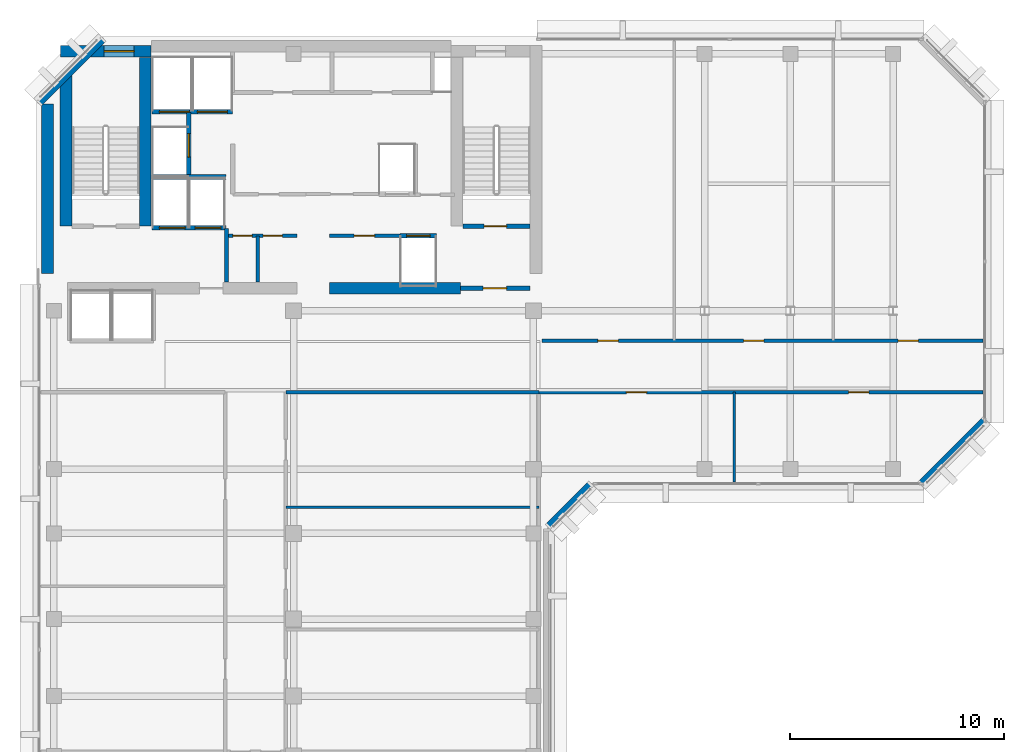
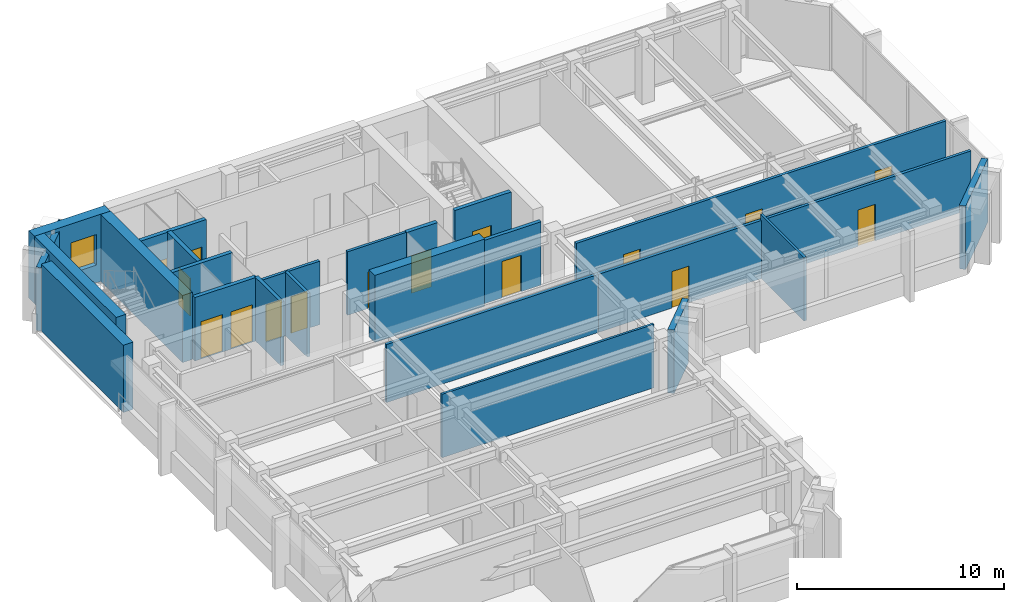
# One storey, part 7 of 11: 24 walls, 16 doors, 1 window, 17 openings.
"""IFC4 building model written with IfcOpenShell, lengths in metres."""

from ifc_helpers import new_model, si_unit, direction, frame, frame_2d, origin, place, context, subcontext, project, spatial, rectangle, extrude, material, layer, layer_set, type_object, element, fill, save


model = new_model("IFC4")

# Units and contexts
model_context = context("Model", 3, precision=1e-05, world=origin(), true_north=direction((0.0, 1.0)))
body_context = subcontext(model_context, "Body", "Model", "MODEL_VIEW")
ifc_project = project(units=[si_unit("LENGTHUNIT", "METRE"), si_unit("AREAUNIT", "SQUARE_METRE"), si_unit("VOLUMEUNIT", "CUBIC_METRE"), si_unit("PLANEANGLEUNIT", "RADIAN"), si_unit("MASSUNIT", "GRAM", prefix="KILO")], contexts=[model_context])

# Site, building, storey
site_placement = place(None, origin())
site = spatial("IfcSite", under=ifc_project, at=site_placement, CompositionType="ELEMENT")
building_placement = place(site_placement, origin())
building = spatial("IfcBuilding", under=site, at=building_placement, Name="Kefirva Bronze Tower", CompositionType="ELEMENT")
storey_placement = place(building_placement, frame((0.0, 0.0, 307.889892578125)))
storey = spatial("IfcBuildingStorey", under=building, at=storey_placement, Name="L75", CompositionType="ELEMENT", Elevation=307.889892578125)

# Walls
ifc_material_1 = material(Name="Gypsum acoustic partition")
ifc_layer_1 = layer(ifc_material_1, 0.1298828125, Name="Gypsum acoustic partition")
ifc_layer_set_1 = layer_set([ifc_layer_1], Name="Gypsum acoustic partition")
wall_type_1 = type_object("IfcWallType", Name="Acoustic Office Partition 130mm", PredefinedType="PARTITIONING", material=ifc_layer_set_1)
wall_1_placement = place(storey_placement, frame((11.639892578125, 24.02392578125, 0.0), z_axis=(0.0, 0.0, 1.0), x_axis=(1.0, 0.0, 0.0)))
element("IfcWall", 1, at=wall_1_placement, inside=storey, type_object=wall_type_1, Name="L75 Partition W-L75-SED2", PredefinedType="PARTITIONING", context=body_context, shape_type="SweptSolid", body=[
    extrude(rectangle(XDim=11.81005859375, YDim=0.1298828125, at=frame_2d((5.905029296875, 0.0))), origin(), (0.0, 0.0, 1.0), 3.739990234375),
])
wall_2_placement = place(storey_placement, frame((32.58447265625, 25.18994140625, 0.0), z_axis=(0.0, 0.0, 1.0), x_axis=(0.0, 1.0, 0.0)))
element("IfcWall", 2, at=wall_2_placement, inside=storey, type_object=wall_type_1, Name="L75 Partition W-L75-ESD1", PredefinedType="PARTITIONING", context=body_context, shape_type="SweptSolid", body=[
    extrude(rectangle(XDim=4.2099609375, YDim=0.1298828125, at=frame_2d((2.10498046875, 0.0))), origin(), (0.0, 0.0, 1.0), 3.739990234375),
])

# Wall, opening, door
ifc_layer_2 = layer(ifc_material_1, 0.14990234375, Name="Gypsum acoustic partition")
ifc_layer_set_2 = layer_set([ifc_layer_2], Name="Gypsum acoustic partition")
wall_type_2 = type_object("IfcWallType", Name="Executive Suite Partition 150mm", PredefinedType="PARTITIONING", material=ifc_layer_set_2)
wall_3_placement = place(storey_placement, frame((13.679931640625, 36.699951171875, 0.0), z_axis=(0.0, 0.0, 1.0), x_axis=(1.0, 0.0, 0.0)))
wall_3 = element("IfcWall", 3, at=wall_3_placement, inside=storey, type_object=wall_type_2, Name="L75 Partition W-L75-RECMP1", PredefinedType="PARTITIONING", context=body_context, shape_type="SweptSolid", body=[
    extrude(rectangle(XDim=3.280029296875, YDim=0.14990234375, at=frame_2d((1.64013671875, 0.0))), origin(), (0.0, 0.0, 1.0), 3.739990234375),
])
opening_1_placement = place(wall_3_placement, frame((1.14990234375, 0.0, 0.0)))
opening_1 = element("IfcOpeningElement", 4, at=opening_1_placement, cuts=wall_3, Name="Opening L75-D-RECMP1", PredefinedType="OPENING", context=body_context, shape_type="SweptSolid", body=[
    extrude(rectangle(XDim=0.949951171875, YDim=2.14990234375, at=frame_2d((0.47509765625, 1.074951171875))), frame((0.0, 0.0849609375, 0.0), z_axis=(0.0, -1.0, 0.0), x_axis=(1.0, 0.0, 0.0)), (0.0, 0.0, 1.0), 0.169921875),
])
ifc_material_2 = material(Name="Acoustic hardwood oak", Category="wood")
door_type_1 = type_object("IfcDoorType", Name="Office & Meeting Room Door 950x2150", OperationType="NOTDEFINED", PredefinedType="DOOR", material=ifc_material_2)
door_1_placement = place(opening_1_placement, origin())
door_1 = element("IfcDoor", 5, at=door_1_placement, inside=storey, type_object=door_type_1, Name="Door L75-D-RECMP1", OperationType="SINGLE_SWING_LEFT", OverallHeight=2.14990234375, OverallWidth=0.949951171875, PredefinedType="DOOR", context=body_context, shape_type="SweptSolid", body=[
    extrude(rectangle(XDim=0.949951171875, YDim=2.14990234375, at=frame_2d((0.47509765625, 1.074951171875))), frame((0.0, 0.02490234375, 0.0), z_axis=(0.0, -1.0, 0.0), x_axis=(1.0, 0.0, 0.0)), (0.0, 0.0, 1.0), 0.050048828125),
])
fill(opening_1, door_1)

ifc_material_3 = material(Name="Gypsum fireboard shaftwall")
ifc_layer_3 = layer(ifc_material_3, 0.219970703125, Name="Gypsum fireboard shaftwall")
ifc_layer_set_3 = layer_set([ifc_layer_3], Name="Gypsum fireboard shaftwall")
wall_type_3 = type_object("IfcWallType", Name="Fire-Rated Shaft Enclosure Wall 220mm", PredefinedType="PARTITIONING", material=ifc_layer_set_3)
wall_4_placement = place(storey_placement, frame((19.89990234375, 37.14990234375, 0.0), z_axis=(0.0, 0.0, 1.0), x_axis=(1.0, 0.0, 0.0)))
wall_4 = element("IfcWall", 6, at=wall_4_placement, inside=storey, type_object=wall_type_3, Name="L75 Partition W-L75-ST2S", PredefinedType="PARTITIONING", context=body_context, shape_type="SweptSolid", body=[
    extrude(rectangle(XDim=3.150146484375, YDim=0.219970703125, at=frame_2d((1.5751953125, 0.0))), origin(), (0.0, 0.0, 1.0), 3.739990234375),
])
opening_2_placement = place(wall_4_placement, frame((2.050048828125, 0.0, 0.0), z_axis=(0.0, 0.0, 1.0), x_axis=(-1.0, 0.0, 0.0)))
opening_2 = element("IfcOpeningElement", 7, at=opening_2_placement, cuts=wall_4, Name="Opening L75-D003", PredefinedType="OPENING", context=body_context, shape_type="SweptSolid", body=[
    extrude(rectangle(XDim=1.050048828125, YDim=2.14990234375, at=frame_2d((0.52490234375, 1.074951171875))), frame((0.0, 0.1201171875, 0.0), z_axis=(0.0, -1.0, 0.0), x_axis=(1.0, 0.0, 0.0)), (0.0, 0.0, 1.0), 0.239990234375),
])
ifc_material_4 = material(Name="Painted galvanized steel", Category="steel")
door_type_2 = type_object("IfcDoorType", Name="Fire Stair Enclosure Door 1050x2150 FD90S", OperationType="NOTDEFINED", PredefinedType="DOOR", material=ifc_material_4)
door_2_placement = place(opening_2_placement, origin())
door_2 = element("IfcDoor", 8, at=door_2_placement, inside=storey, type_object=door_type_2, Name="Door L75-D003", OperationType="SINGLE_SWING_LEFT", OverallHeight=2.14990234375, OverallWidth=1.050048828125, PredefinedType="DOOR", context=body_context, shape_type="SweptSolid", body=[
    extrude(rectangle(XDim=1.050048828125, YDim=2.14990234375, at=frame_2d((0.52490234375, 1.074951171875))), frame((0.0, 0.02490234375, 0.0), z_axis=(0.0, -1.0, 0.0), x_axis=(1.0, 0.0, 0.0)), (0.0, 0.0, 1.0), 0.050048828125),
])
fill(opening_2, door_2)

# Wall, openings, doors
wall_5_placement = place(storey_placement, frame((5.3798828125, 37.080078125, 0.0), z_axis=(0.0, 0.0, 1.0), x_axis=(1.0, 0.0, 0.0)))
wall_5 = element("IfcWall", 9, at=wall_5_placement, inside=storey, type_object=wall_type_3, Name="L75 Partition W-L75-FFS", PredefinedType="PARTITIONING", context=body_context, shape_type="SweptSolid", body=[
    extrude(rectangle(XDim=3.460205078125, YDim=0.219970703125, at=frame_2d((1.72998046875, 0.0))), origin(), (0.0, 0.0, 1.0), 3.739990234375),
])
opening_3_placement = place(wall_5_placement, frame((1.550048828125, 0.0, 0.0), z_axis=(0.0, 0.0, 1.0), x_axis=(-1.0, 0.0, 0.0)))
opening_3 = element("IfcOpeningElement", 10, at=opening_3_placement, cuts=wall_5, Name="Opening L75-LD-FF1", PredefinedType="OPENING", context=body_context, shape_type="SweptSolid", body=[
    extrude(rectangle(XDim=1.199951171875, YDim=2.199951171875, at=frame_2d((0.60009765625, 1.10009765625))), frame((0.0, 0.1201171875, 0.0), z_axis=(0.0, -1.0, 0.0), x_axis=(1.0, 0.0, 0.0)), (0.0, 0.0, 1.0), 0.239990234375),
])
opening_4_placement = place(wall_5_placement, frame((3.219970703125, 0.0, 0.0), z_axis=(0.0, 0.0, 1.0), x_axis=(-1.0, 0.0, 0.0)))
opening_4 = element("IfcOpeningElement", 11, at=opening_4_placement, cuts=wall_5, Name="Opening L75-LD-FF2", PredefinedType="OPENING", context=body_context, shape_type="SweptSolid", body=[
    extrude(rectangle(XDim=1.199951171875, YDim=2.199951171875, at=frame_2d((0.60009765625, 1.10009765625))), frame((0.0, 0.1201171875, 0.0), z_axis=(0.0, -1.0, 0.0), x_axis=(1.0, 0.0, 0.0)), (0.0, 0.0, 1.0), 0.239990234375),
])
ifc_material_5 = material(Name="Stainless steel 316", Category="steel")
door_type_3 = type_object("IfcDoorType", Name="Firefighting Lift Sliding Door 1200x2200", OperationType="SLIDING_TO_RIGHT", PredefinedType="DOOR", material=ifc_material_5)
door_3_placement = place(opening_3_placement, origin())
door_3 = element("IfcDoor", 12, at=door_3_placement, inside=storey, type_object=door_type_3, Name="Door L75-LD-FF1", OperationType="SLIDING_TO_RIGHT", OverallHeight=2.199951171875, OverallWidth=1.199951171875, PredefinedType="DOOR", context=body_context, shape_type="SweptSolid", body=[
    extrude(rectangle(XDim=1.199951171875, YDim=2.199951171875, at=frame_2d((0.60009765625, 1.10009765625))), frame((0.0, 0.02490234375, 0.0), z_axis=(0.0, -1.0, 0.0), x_axis=(1.0, 0.0, 0.0)), (0.0, 0.0, 1.0), 0.050048828125),
])
fill(opening_3, door_3)
door_4_placement = place(opening_4_placement, origin())
door_4 = element("IfcDoor", 13, at=door_4_placement, inside=storey, type_object=door_type_3, Name="Door L75-LD-FF2", OperationType="SLIDING_TO_RIGHT", OverallHeight=2.199951171875, OverallWidth=1.199951171875, PredefinedType="DOOR", context=body_context, shape_type="SweptSolid", body=[
    extrude(rectangle(XDim=1.199951171875, YDim=2.199951171875, at=frame_2d((0.60009765625, 1.10009765625))), frame((0.0, 0.02490234375, 0.0), z_axis=(0.0, -1.0, 0.0), x_axis=(1.0, 0.0, 0.0)), (0.0, 0.0, 1.0), 0.050048828125),
])
fill(opening_4, door_4)

# Wall
wall_6_placement = place(storey_placement, frame((5.3798828125, 39.449951171875, 0.0), z_axis=(0.0, 0.0, 1.0), x_axis=(1.0, 0.0, 0.0)))
element("IfcWall", 14, at=wall_6_placement, inside=storey, type_object=wall_type_3, Name="L75 Partition W-L75-FFN", PredefinedType="PARTITIONING", context=body_context, shape_type="SweptSolid", body=[
    extrude(rectangle(XDim=3.460205078125, YDim=0.219970703125, at=frame_2d((1.72998046875, 0.0))), origin(), (0.0, 0.0, 1.0), 3.739990234375),
])

# Wall, openings, doors
wall_7_placement = place(storey_placement, frame((5.3798828125, 42.5, 0.0), z_axis=(0.0, 0.0, 1.0), x_axis=(1.0, 0.0, 0.0)))
wall_7 = element("IfcWall", 15, at=wall_7_placement, inside=storey, type_object=wall_type_3, Name="L75 Partition W-L75-SVS", PredefinedType="PARTITIONING", context=body_context, shape_type="SweptSolid", body=[
    extrude(rectangle(XDim=3.77001953125, YDim=0.219970703125, at=frame_2d((1.885009765625, 0.0))), origin(), (0.0, 0.0, 1.0), 3.739990234375),
])
opening_5_placement = place(wall_7_placement, frame((1.75, 0.0, 0.0), z_axis=(0.0, 0.0, 1.0), x_axis=(-1.0, 0.0, 0.0)))
opening_5 = element("IfcOpeningElement", 16, at=opening_5_placement, cuts=wall_7, Name="Opening L75-LD-SV1", PredefinedType="OPENING", context=body_context, shape_type="SweptSolid", body=[
    extrude(rectangle(XDim=1.39990234375, YDim=2.199951171875, at=frame_2d((0.699951171875, 1.10009765625))), frame((0.0, 0.1201171875, 0.0), z_axis=(0.0, -1.0, 0.0), x_axis=(1.0, 0.0, 0.0)), (0.0, 0.0, 1.0), 0.239990234375),
])
opening_6_placement = place(wall_7_placement, frame((3.52978515625, 0.0, 0.0), z_axis=(0.0, 0.0, 1.0), x_axis=(-1.0, 0.0, 0.0)))
opening_6 = element("IfcOpeningElement", 17, at=opening_6_placement, cuts=wall_7, Name="Opening L75-LD-SV2", PredefinedType="OPENING", context=body_context, shape_type="SweptSolid", body=[
    extrude(rectangle(XDim=1.39990234375, YDim=2.199951171875, at=frame_2d((0.699951171875, 1.10009765625))), frame((0.0, 0.1201171875, 0.0), z_axis=(0.0, -1.0, 0.0), x_axis=(1.0, 0.0, 0.0)), (0.0, 0.0, 1.0), 0.239990234375),
])
door_type_4 = type_object("IfcDoorType", Name="Goods Lift Bi-Parting Sliding Door 1400x2200", OperationType="SLIDING_TO_LEFT", PredefinedType="DOOR", material=ifc_material_5)
door_5_placement = place(opening_5_placement, origin())
door_5 = element("IfcDoor", 18, at=door_5_placement, inside=storey, type_object=door_type_4, Name="Door L75-LD-SV1", OperationType="SLIDING_TO_LEFT", OverallHeight=2.199951171875, OverallWidth=1.39990234375, PredefinedType="DOOR", context=body_context, shape_type="SweptSolid", body=[
    extrude(rectangle(XDim=1.39990234375, YDim=2.199951171875, at=frame_2d((0.699951171875, 1.10009765625))), frame((0.0, 0.02490234375, 0.0), z_axis=(0.0, -1.0, 0.0), x_axis=(1.0, 0.0, 0.0)), (0.0, 0.0, 1.0), 0.050048828125),
])
fill(opening_5, door_5)
door_6_placement = place(opening_6_placement, origin())
door_6 = element("IfcDoor", 19, at=door_6_placement, inside=storey, type_object=door_type_4, Name="Door L75-LD-SV2", OperationType="SLIDING_TO_LEFT", OverallHeight=2.199951171875, OverallWidth=1.39990234375, PredefinedType="DOOR", context=body_context, shape_type="SweptSolid", body=[
    extrude(rectangle(XDim=1.39990234375, YDim=2.199951171875, at=frame_2d((0.699951171875, 1.10009765625))), frame((0.0, 0.02490234375, 0.0), z_axis=(0.0, -1.0, 0.0), x_axis=(1.0, 0.0, 0.0)), (0.0, 0.0, 1.0), 0.050048828125),
])
fill(opening_6, door_6)

# Wall, opening, door
wall_8_placement = place(storey_placement, frame((7.10009765625, 39.52001953125, 0.0), z_axis=(0.0, 0.0, 1.0), x_axis=(0.0, 1.0, 0.0)))
wall_8 = element("IfcWall", 20, at=wall_8_placement, inside=storey, type_object=wall_type_3, Name="L75 Partition W-L75-HP3E", PredefinedType="PARTITIONING", context=body_context, shape_type="SweptSolid", body=[
    extrude(rectangle(XDim=2.929931640625, YDim=0.219970703125, at=frame_2d((1.46484375, 0.0))), origin(), (0.0, 0.0, 1.0), 3.739990234375),
])
opening_7_placement = place(wall_8_placement, frame((0.85009765625, 0.0, 0.0)))
opening_7 = element("IfcOpeningElement", 21, at=opening_7_placement, cuts=wall_8, Name="Opening L75-LD-HP3", PredefinedType="OPENING", context=body_context, shape_type="SweptSolid", body=[
    extrude(rectangle(XDim=1.10009765625, YDim=2.199951171875, at=frame_2d((0.550048828125, 1.10009765625))), frame((0.0, 0.1201171875, 0.0), z_axis=(0.0, -1.0, 0.0), x_axis=(1.0, 0.0, 0.0)), (0.0, 0.0, 1.0), 0.239990234375),
])
door_type_5 = type_object("IfcDoorType", Name="Passenger Lift Sliding Landing Door 1100x2200", OperationType="SLIDING_TO_LEFT", PredefinedType="DOOR", material=ifc_material_5)
door_7_placement = place(opening_7_placement, origin())
door_7 = element("IfcDoor", 22, at=door_7_placement, inside=storey, type_object=door_type_5, Name="Door L75-LD-HP3", OperationType="SLIDING_TO_LEFT", OverallHeight=2.199951171875, OverallWidth=1.10009765625, PredefinedType="DOOR", context=body_context, shape_type="SweptSolid", body=[
    extrude(rectangle(XDim=1.10009765625, YDim=2.199951171875, at=frame_2d((0.550048828125, 1.10009765625))), frame((0.0, 0.02490234375, 0.0), z_axis=(0.0, -1.0, 0.0), x_axis=(1.0, 0.0, 0.0)), (0.0, 0.0, 1.0), 0.050048828125),
])
fill(opening_7, door_7)

wall_9_placement = place(storey_placement, frame((16.97998046875, 36.699951171875, 0.0), z_axis=(0.0, 0.0, 1.0), x_axis=(1.0, 0.0, 0.0)))
wall_9 = element("IfcWall", 23, at=wall_9_placement, inside=storey, type_object=wall_type_3, Name="L75 Partition W-L75-HPS", PredefinedType="PARTITIONING", context=body_context, shape_type="SweptSolid", body=[
    extrude(rectangle(XDim=1.699951171875, YDim=0.219970703125, at=frame_2d((0.85009765625, 0.0))), origin(), (0.0, 0.0, 1.0), 3.739990234375),
])
opening_8_placement = place(wall_9_placement, frame((0.300048828125, 0.0, 0.0)))
opening_8 = element("IfcOpeningElement", 24, at=opening_8_placement, cuts=wall_9, Name="Opening L75-LD-HP1", PredefinedType="OPENING", context=body_context, shape_type="SweptSolid", body=[
    extrude(rectangle(XDim=1.10009765625, YDim=2.199951171875, at=frame_2d((0.550048828125, 1.10009765625))), frame((0.0, 0.1201171875, 0.0), z_axis=(0.0, -1.0, 0.0), x_axis=(1.0, 0.0, 0.0)), (0.0, 0.0, 1.0), 0.239990234375),
])
door_8_placement = place(opening_8_placement, origin())
door_8 = element("IfcDoor", 25, at=door_8_placement, inside=storey, type_object=door_type_5, Name="Door L75-LD-HP1", OperationType="SLIDING_TO_LEFT", OverallHeight=2.199951171875, OverallWidth=1.10009765625, PredefinedType="DOOR", context=body_context, shape_type="SweptSolid", body=[
    extrude(rectangle(XDim=1.10009765625, YDim=2.199951171875, at=frame_2d((0.550048828125, 1.10009765625))), frame((0.0, 0.02490234375, 0.0), z_axis=(0.0, -1.0, 0.0), x_axis=(1.0, 0.0, 0.0)), (0.0, 0.0, 1.0), 0.050048828125),
])
fill(opening_8, door_8)

# Wall
ifc_material_6 = material(Name="Gypsum fireboard barrier")
ifc_layer_4 = layer(ifc_material_6, 0.199951171875, Name="Gypsum fireboard barrier")
ifc_layer_set_4 = layer_set([ifc_layer_4], Name="Gypsum fireboard barrier")
wall_type_4 = type_object("IfcWallType", Name="Firefighting Lobby Barrier Wall 200mm", PredefinedType="PARTITIONING", material=ifc_layer_set_4)
wall_10_placement = place(storey_placement, frame((8.860107421875, 34.550048828125, 0.0), z_axis=(0.0, 0.0, 1.0), x_axis=(0.0, 1.0, 0.0)))
element("IfcWall", 26, at=wall_10_placement, inside=storey, type_object=wall_type_4, Name="L75 Partition W-L75-FFLE", PredefinedType="PARTITIONING", context=body_context, shape_type="SweptSolid", body=[
    extrude(rectangle(XDim=2.5, YDim=0.199951171875, at=frame_2d((1.25, 0.0))), origin(), (0.0, 0.0, 1.0), 3.739990234375),
])

# Wall, opening, door
wall_11_placement = place(storey_placement, frame((19.800048828125, 34.25, 0.0), z_axis=(0.0, 0.0, 1.0), x_axis=(1.0, 0.0, 0.0)))
wall_11 = element("IfcWall", 27, at=wall_11_placement, inside=storey, type_object=wall_type_4, Name="L75 Partition W-L75-ST2F", PredefinedType="PARTITIONING", context=body_context, shape_type="SweptSolid", body=[
    extrude(rectangle(XDim=3.25, YDim=0.199951171875, at=frame_2d((1.625, 0.0))), origin(), (0.0, 0.0, 1.0), 3.739990234375),
])
opening_9_placement = place(wall_11_placement, frame((2.150146484375, 0.0, 0.0), z_axis=(0.0, 0.0, 1.0), x_axis=(-1.0, 0.0, 0.0)))
opening_9 = element("IfcOpeningElement", 28, at=opening_9_placement, cuts=wall_11, Name="Opening L75-D004", PredefinedType="OPENING", context=body_context, shape_type="SweptSolid", body=[
    extrude(rectangle(XDim=1.10009765625, YDim=2.14990234375, at=frame_2d((0.550048828125, 1.074951171875))), frame((0.0, 0.10986328125, 0.0), z_axis=(0.0, -1.0, 0.0), x_axis=(1.0, 0.0, 0.0)), (0.0, 0.0, 1.0), 0.219970703125),
])
door_type_6 = type_object("IfcDoorType", Name="Firefighting Lobby Smoke Door 1100x2150 FD60S", OperationType="NOTDEFINED", PredefinedType="DOOR", material=ifc_material_4)
door_9_placement = place(opening_9_placement, origin())
door_9 = element("IfcDoor", 29, at=door_9_placement, inside=storey, type_object=door_type_6, Name="Door L75-D004", OperationType="SINGLE_SWING_RIGHT", OverallHeight=2.14990234375, OverallWidth=1.10009765625, PredefinedType="DOOR", context=body_context, shape_type="SweptSolid", body=[
    extrude(rectangle(XDim=1.10009765625, YDim=2.14990234375, at=frame_2d((0.550048828125, 1.074951171875))), frame((0.0, 0.02490234375, 0.0), z_axis=(0.0, -1.0, 0.0), x_axis=(1.0, 0.0, 0.0)), (0.0, 0.0, 1.0), 0.050048828125),
])
fill(opening_9, door_9)

# Walls
ifc_material_7 = material(Name="Precast concrete C40/50", Category="concrete")
ifc_layer_5 = layer(ifc_material_7, 0.320068359375, Name="Precast concrete C40/50")
ifc_layer_set_5 = layer_set([ifc_layer_5], Name="Precast concrete C40/50")
wall_type_5 = type_object("IfcWallType", Name="Precast Insulated Exterior Wall 320mm", PredefinedType="SOLIDWALL", material=ifc_layer_set_5)
wall_12_placement = place(storey_placement, frame((23.92578125, 23.152099609375, 0.0), z_axis=(0.0, 0.0, 1.0), x_axis=(0.707106781187, 0.707106781187, 0.0)))
element("IfcWall", 30, at=wall_12_placement, inside=storey, type_object=wall_type_5, Name="L75 Exterior Facade Wall 3", PredefinedType="SOLIDWALL", context=body_context, shape_type="SweptSolid", body=[
    extrude(rectangle(XDim=2.71826171875, YDim=0.320068359375, at=frame_2d((1.359130859375, 0.0))), origin(), (0.0, 0.0, 1.0), 3.739990234375),
])
for number, where, z_axis, x_axis, name in (
    (31, (41.32568359375, 25.152099609375, 0.0), (0.0, 0.0, 1.0), (0.707136318428, 0.707077242712, 0.0), "L75 Exterior Facade Wall 4"),
    (32, (3.07421875, 45.847900390625, 0.0), (0.0, 0.0, 1.0), (-0.707106781187, -0.707106781187, 0.0), "L75 Exterior Facade Wall 6"),
):
    element("IfcWall", number, at=place(storey_placement, frame(where, z_axis=z_axis, x_axis=x_axis)), inside=storey, type_object=wall_type_5, Name=name, PredefinedType="SOLIDWALL", context=body_context, shape_type="SweptSolid", body=[
        extrude(rectangle(XDim=4.132568359375, YDim=0.320068359375, at=frame_2d((2.06640625, 0.0))), origin(), (0.0, 0.0, 1.0), 3.739990234375),
    ])

# Wall, openings, doors
ifc_layer_6 = layer(ifc_material_1, 0.159912109375, Name="Gypsum acoustic partition")
ifc_layer_set_6 = layer_set([ifc_layer_6], Name="Gypsum acoustic partition")
wall_type_6 = type_object("IfcWallType", Name="Protected Corridor Partition 160mm", PredefinedType="PARTITIONING", material=ifc_layer_set_6)
wall_13_placement = place(storey_placement, frame((8.89990234375, 36.699951171875, 0.0), z_axis=(0.0, 0.0, 1.0), x_axis=(1.0, 0.0, 0.0)))
wall_13 = element("IfcWall", 33, at=wall_13_placement, inside=storey, type_object=wall_type_6, Name="L75 Partition W-L75-RECLP1", PredefinedType="PARTITIONING", context=body_context, shape_type="SweptSolid", body=[
    extrude(rectangle(XDim=3.25, YDim=0.159912109375, at=frame_2d((1.625, 0.0))), origin(), (0.0, 0.0, 1.0), 3.739990234375),
])
opening_10_placement = place(wall_13_placement, frame((0.260009765625, 0.0, 0.0)))
opening_10 = element("IfcOpeningElement", 34, at=opening_10_placement, cuts=wall_13, Name="Opening L75-D-RECLP1A", PredefinedType="OPENING", context=body_context, shape_type="SweptSolid", body=[
    extrude(rectangle(XDim=0.89990234375, YDim=2.14990234375, at=frame_2d((0.449951171875, 1.074951171875))), frame((0.0, 0.08984375, 0.0), z_axis=(0.0, -1.0, 0.0), x_axis=(1.0, 0.0, 0.0)), (0.0, 0.0, 1.0), 0.179931640625),
])
opening_11_placement = place(wall_13_placement, frame((1.679931640625, 0.0, 0.0)))
opening_11 = element("IfcOpeningElement", 35, at=opening_11_placement, cuts=wall_13, Name="Opening L75-D-RECLP1B", PredefinedType="OPENING", context=body_context, shape_type="SweptSolid", body=[
    extrude(rectangle(XDim=0.89990234375, YDim=2.14990234375, at=frame_2d((0.449951171875, 1.074951171875))), frame((0.0, 0.08984375, 0.0), z_axis=(0.0, -1.0, 0.0), x_axis=(1.0, 0.0, 0.0)), (0.0, 0.0, 1.0), 0.179931640625),
])
door_type_7 = type_object("IfcDoorType", Name="Core Archive & Server Fire Door 900x2150 FD60S", OperationType="NOTDEFINED", PredefinedType="DOOR", material=ifc_material_4)
door_10_placement = place(opening_10_placement, origin())
door_10 = element("IfcDoor", 36, at=door_10_placement, inside=storey, type_object=door_type_7, Name="Door L75-D-RECLP1A", OperationType="SINGLE_SWING_RIGHT", OverallHeight=2.14990234375, OverallWidth=0.89990234375, PredefinedType="DOOR", context=body_context, shape_type="SweptSolid", body=[
    extrude(rectangle(XDim=0.89990234375, YDim=2.14990234375, at=frame_2d((0.449951171875, 1.074951171875))), frame((0.0, 0.02490234375, 0.0), z_axis=(0.0, -1.0, 0.0), x_axis=(1.0, 0.0, 0.0)), (0.0, 0.0, 1.0), 0.050048828125),
])
fill(opening_10, door_10)
door_11_placement = place(opening_11_placement, origin())
door_11 = element("IfcDoor", 37, at=door_11_placement, inside=storey, type_object=door_type_7, Name="Door L75-D-RECLP1B", OperationType="SINGLE_SWING_LEFT", OverallHeight=2.14990234375, OverallWidth=0.89990234375, PredefinedType="DOOR", context=body_context, shape_type="SweptSolid", body=[
    extrude(rectangle(XDim=0.89990234375, YDim=2.14990234375, at=frame_2d((0.449951171875, 1.074951171875))), frame((0.0, 0.02490234375, 0.0), z_axis=(0.0, -1.0, 0.0), x_axis=(1.0, 0.0, 0.0)), (0.0, 0.0, 1.0), 0.050048828125),
])
fill(opening_11, door_11)

# Walls
wall_14_placement = place(storey_placement, frame((10.320068359375, 34.550048828125, 0.0), z_axis=(0.0, 0.0, 1.0), x_axis=(0.0, 1.0, 0.0)))
element("IfcWall", 38, at=wall_14_placement, inside=storey, type_object=wall_type_6, Name="L75 Partition W-L75-RECLP1D", PredefinedType="PARTITIONING", context=body_context, shape_type="SweptSolid", body=[
    extrude(rectangle(XDim=2.14990234375, YDim=0.159912109375, at=frame_2d((1.074951171875, 0.0))), origin(), (0.0, 0.0, 1.0), 3.739990234375),
])
wall_15_placement = place(storey_placement, frame((11.639892578125, 29.39990234375, 0.0), z_axis=(0.0, 0.0, 1.0), x_axis=(1.0, 0.0, 0.0)))
element("IfcWall", 39, at=wall_15_placement, inside=storey, type_object=wall_type_6, Name="L75 Partition W-L75-NET", PredefinedType="PARTITIONING", context=body_context, shape_type="SweptSolid", body=[
    extrude(rectangle(XDim=11.81005859375, YDim=0.159912109375, at=frame_2d((5.905029296875, 0.0))), origin(), (0.0, 0.0, 1.0), 3.425048828125),
])

# Wall, openings, doors
wall_16_placement = place(storey_placement, frame((23.449951171875, 29.39990234375, 0.0), z_axis=(0.0, 0.0, 1.0), x_axis=(1.0, 0.0, 0.0)))
wall_16 = element("IfcWall", 40, at=wall_16_placement, inside=storey, type_object=wall_type_6, Name="L75 Partition W-L75-EWS", PredefinedType="PARTITIONING", context=body_context, shape_type="SweptSolid", body=[
    extrude(rectangle(XDim=20.760009765625, YDim=0.159912109375, at=frame_2d((10.3798828125, 0.0))), origin(), (0.0, 0.0, 1.0), 3.425048828125),
])
opening_12_placement = place(wall_16_placement, frame((5.042236328125, 0.0, 0.0), z_axis=(0.0, 0.0, 1.0), x_axis=(-1.0, 0.0, 0.0)))
opening_12 = element("IfcOpeningElement", 41, at=opening_12_placement, cuts=wall_16, Name="Opening L75-D-ES1", PredefinedType="OPENING", context=body_context, shape_type="SweptSolid", body=[
    extrude(rectangle(XDim=0.949951171875, YDim=2.14990234375, at=frame_2d((0.47509765625, 1.074951171875))), frame((0.0, 0.08984375, 0.0), z_axis=(0.0, -1.0, 0.0), x_axis=(1.0, 0.0, 0.0)), (0.0, 0.0, 1.0), 0.179931640625),
])
opening_13_placement = place(wall_16_placement, frame((15.422119140625, 0.0, 0.0), z_axis=(0.0, 0.0, 1.0), x_axis=(-1.0, 0.0, 0.0)))
opening_13 = element("IfcOpeningElement", 42, at=opening_13_placement, cuts=wall_16, Name="Opening L75-D-ES2", PredefinedType="OPENING", context=body_context, shape_type="SweptSolid", body=[
    extrude(rectangle(XDim=0.949951171875, YDim=2.14990234375, at=frame_2d((0.47509765625, 1.074951171875))), frame((0.0, 0.08984375, 0.0), z_axis=(0.0, -1.0, 0.0), x_axis=(1.0, 0.0, 0.0)), (0.0, 0.0, 1.0), 0.179931640625),
])
door_12_placement = place(opening_12_placement, origin())
door_12 = element("IfcDoor", 43, at=door_12_placement, inside=storey, type_object=door_type_1, Name="Door L75-D-ES1", OperationType="SINGLE_SWING_RIGHT", OverallHeight=2.14990234375, OverallWidth=0.949951171875, PredefinedType="DOOR", context=body_context, shape_type="SweptSolid", body=[
    extrude(rectangle(XDim=0.949951171875, YDim=2.14990234375, at=frame_2d((0.47509765625, 1.074951171875))), frame((0.0, 0.02490234375, 0.0), z_axis=(0.0, -1.0, 0.0), x_axis=(1.0, 0.0, 0.0)), (0.0, 0.0, 1.0), 0.050048828125),
])
fill(opening_12, door_12)
door_13_placement = place(opening_13_placement, origin())
door_13 = element("IfcDoor", 44, at=door_13_placement, inside=storey, type_object=door_type_1, Name="Door L75-D-ES2", OperationType="SINGLE_SWING_LEFT", OverallHeight=2.14990234375, OverallWidth=0.949951171875, PredefinedType="DOOR", context=body_context, shape_type="SweptSolid", body=[
    extrude(rectangle(XDim=0.949951171875, YDim=2.14990234375, at=frame_2d((0.47509765625, 1.074951171875))), frame((0.0, 0.02490234375, 0.0), z_axis=(0.0, -1.0, 0.0), x_axis=(1.0, 0.0, 0.0)), (0.0, 0.0, 1.0), 0.050048828125),
])
fill(opening_13, door_13)

wall_17_placement = place(storey_placement, frame((23.60009765625, 31.800048828125, 0.0), z_axis=(0.0, 0.0, 1.0), x_axis=(1.0, 0.0, 0.0)))
wall_17 = element("IfcWall", 45, at=wall_17_placement, inside=storey, type_object=wall_type_6, Name="L75 Partition W-L75-EWN", PredefinedType="PARTITIONING", context=body_context, shape_type="SweptSolid", body=[
    extrude(rectangle(XDim=20.60986328125, YDim=0.159912109375, at=frame_2d((10.304931640625, 0.0))), origin(), (0.0, 0.0, 1.0), 3.739990234375),
])
opening_14_placement = place(wall_17_placement, frame((2.616455078125, 0.0, 0.0)))
opening_14 = element("IfcOpeningElement", 46, at=opening_14_placement, cuts=wall_17, Name="Opening L75-D-EN1", PredefinedType="OPENING", context=body_context, shape_type="SweptSolid", body=[
    extrude(rectangle(XDim=0.949951171875, YDim=2.14990234375, at=frame_2d((0.47509765625, 1.074951171875))), frame((0.0, 0.08984375, 0.0), z_axis=(0.0, -1.0, 0.0), x_axis=(1.0, 0.0, 0.0)), (0.0, 0.0, 1.0), 0.179931640625),
])
opening_15_placement = place(wall_17_placement, frame((9.417724609375, 0.0, 0.0)))
opening_15 = element("IfcOpeningElement", 47, at=opening_15_placement, cuts=wall_17, Name="Opening L75-D-EN2", PredefinedType="OPENING", context=body_context, shape_type="SweptSolid", body=[
    extrude(rectangle(XDim=0.949951171875, YDim=2.14990234375, at=frame_2d((0.47509765625, 1.074951171875))), frame((0.0, 0.08984375, 0.0), z_axis=(0.0, -1.0, 0.0), x_axis=(1.0, 0.0, 0.0)), (0.0, 0.0, 1.0), 0.179931640625),
])
opening_16_placement = place(wall_17_placement, frame((16.63134765625, 0.0, 0.0)))
opening_16 = element("IfcOpeningElement", 48, at=opening_16_placement, cuts=wall_17, Name="Opening L75-D-EN3", PredefinedType="OPENING", context=body_context, shape_type="SweptSolid", body=[
    extrude(rectangle(XDim=0.949951171875, YDim=2.14990234375, at=frame_2d((0.47509765625, 1.074951171875))), frame((0.0, 0.08984375, 0.0), z_axis=(0.0, -1.0, 0.0), x_axis=(1.0, 0.0, 0.0)), (0.0, 0.0, 1.0), 0.179931640625),
])
door_14_placement = place(opening_14_placement, origin())
door_14 = element("IfcDoor", 49, at=door_14_placement, inside=storey, type_object=door_type_1, Name="Door L75-D-EN1", OperationType="SINGLE_SWING_RIGHT", OverallHeight=2.14990234375, OverallWidth=0.949951171875, PredefinedType="DOOR", context=body_context, shape_type="SweptSolid", body=[
    extrude(rectangle(XDim=0.949951171875, YDim=2.14990234375, at=frame_2d((0.47509765625, 1.074951171875))), frame((0.0, 0.02490234375, 0.0), z_axis=(0.0, -1.0, 0.0), x_axis=(1.0, 0.0, 0.0)), (0.0, 0.0, 1.0), 0.050048828125),
])
fill(opening_14, door_14)
door_15_placement = place(opening_15_placement, origin())
door_15 = element("IfcDoor", 50, at=door_15_placement, inside=storey, type_object=door_type_1, Name="Door L75-D-EN2", OperationType="SINGLE_SWING_LEFT", OverallHeight=2.14990234375, OverallWidth=0.949951171875, PredefinedType="DOOR", context=body_context, shape_type="SweptSolid", body=[
    extrude(rectangle(XDim=0.949951171875, YDim=2.14990234375, at=frame_2d((0.47509765625, 1.074951171875))), frame((0.0, 0.02490234375, 0.0), z_axis=(0.0, -1.0, 0.0), x_axis=(1.0, 0.0, 0.0)), (0.0, 0.0, 1.0), 0.050048828125),
])
fill(opening_15, door_15)
door_16_placement = place(opening_16_placement, origin())
door_16 = element("IfcDoor", 51, at=door_16_placement, inside=storey, type_object=door_type_1, Name="Door L75-D-EN3", OperationType="SINGLE_SWING_RIGHT", OverallHeight=2.14990234375, OverallWidth=0.949951171875, PredefinedType="DOOR", context=body_context, shape_type="SweptSolid", body=[
    extrude(rectangle(XDim=0.949951171875, YDim=2.14990234375, at=frame_2d((0.47509765625, 1.074951171875))), frame((0.0, 0.02490234375, 0.0), z_axis=(0.0, -1.0, 0.0), x_axis=(1.0, 0.0, 0.0)), (0.0, 0.0, 1.0), 0.050048828125),
])
fill(opening_16, door_16)

# Wall
ifc_material_8 = material(Name="Concrete C50/60", Category="concrete")
ifc_layer_7 = layer(ifc_material_8, 0.550048828125, Name="Concrete C50/60")
ifc_layer_set_7 = layer_set([ifc_layer_7], Name="Concrete C50/60")
wall_type_7 = type_object("IfcWallType", Name="RC Rear Core Exterior Wall 550mm", PredefinedType="SHEAR", material=ifc_layer_set_7)
wall_18_placement = place(storey_placement, frame((0.5, 34.949951171875, 0.0), z_axis=(0.0, 0.0, 1.0), x_axis=(0.0, 1.0, 0.0)))
element("IfcWall", 52, at=wall_18_placement, inside=storey, type_object=wall_type_7, Name="L75 Rear Core West Shear Wall", PredefinedType="SHEAR", context=body_context, shape_type="SweptSolid", body=[
    extrude(rectangle(XDim=7.900146484375, YDim=0.550048828125, at=frame_2d((3.9501953125, 0.0))), origin(), (0.0, 0.0, 1.0), 3.960205078125),
])

# Wall, opening, window
wall_19_placement = place(storey_placement, frame((1.10009765625, 45.320068359375, 0.0), z_axis=(0.0, 0.0, 1.0), x_axis=(1.0, 0.0, 0.0)))
wall_19 = element("IfcWall", 53, at=wall_19_placement, inside=storey, type_object=wall_type_7, Name="L75 Stair 1 North Shear Wall", PredefinedType="SHEAR", context=body_context, shape_type="SweptSolid", body=[
    extrude(rectangle(XDim=4.239990234375, YDim=0.550048828125, at=frame_2d((2.1201171875, 0.0))), origin(), (0.0, 0.0, 1.0), 3.960205078125),
])
opening_17_placement = place(wall_19_placement, frame((2.050048828125, 0.0, 1.050048828125)))
opening_17 = element("IfcOpeningElement", 54, at=opening_17_placement, cuts=wall_19, Name="Opening WN-03", PredefinedType="OPENING", context=body_context, shape_type="SweptSolid", body=[
    extrude(rectangle(XDim=1.39990234375, YDim=1.800048828125, at=frame_2d((0.699951171875, 0.89990234375))), frame((0.0, 0.28515625, 0.0), z_axis=(0.0, -1.0, 0.0), x_axis=(1.0, 0.0, 0.0)), (0.0, 0.0, 1.0), 0.570068359375),
])
ifc_material_9 = material(Name="Laminated low-E double glazing", Category="glass")
window_type = type_object("IfcWindowType", Name="Rear-Core Stair Daylight Window 1400x1800", PartitioningType="SINGLE_PANEL", PredefinedType="WINDOW", material=ifc_material_9)
window_placement = place(opening_17_placement, origin())
window = element("IfcWindow", 55, at=window_placement, inside=storey, type_object=window_type, Name="L75 Stair 1 Daylight Window", OverallHeight=1.800048828125, OverallWidth=1.39990234375, PartitioningType="SINGLE_PANEL", PredefinedType="WINDOW", context=body_context, shape_type="SweptSolid", body=[
    extrude(rectangle(XDim=1.39990234375, YDim=1.800048828125, at=frame_2d((0.699951171875, 0.89990234375))), frame((0.0, 0.030029296875, 0.0), z_axis=(0.0, -1.0, 0.0), x_axis=(1.0, 0.0, 0.0)), (0.0, 0.0, 1.0), 0.06005859375),
])
fill(opening_17, window)

# Walls
ifc_layer_8 = layer(ifc_material_8, 0.550048828125, Name="Concrete C50/60")
ifc_layer_set_8 = layer_set([ifc_layer_8], Name="Concrete C50/60")
wall_type_8 = type_object("IfcWallType", Name="RC Rear Core Interior Wall 550mm", PredefinedType="SHEAR", material=ifc_layer_set_8)
wall_20_placement = place(storey_placement, frame((13.679931640625, 34.25, 0.0), z_axis=(0.0, 0.0, 1.0), x_axis=(1.0, 0.0, 0.0)))
element("IfcWall", 56, at=wall_20_placement, inside=storey, type_object=wall_type_8, Name="L75 Rear Core South-East Shear Wall", PredefinedType="SHEAR", context=body_context, shape_type="SweptSolid", body=[
    extrude(rectangle(XDim=6.1201171875, YDim=0.550048828125, at=frame_2d((3.06005859375, 0.0))), origin(), (0.0, 0.0, 1.0), 3.960205078125),
])
for number, where, z_axis, x_axis, name in (
    (57, (1.3701171875, 37.14990234375, 0.0), (0.0, 0.0, 1.0), (0.0, 1.0, 0.0), "L75 Stair 1 West Shear Wall"),
    (58, (5.070068359375, 37.14990234375, 0.0), (0.0, 0.0, 1.0), (0.0, 1.0, 0.0), "L75 Stair 1 East Shear Wall"),
):
    element("IfcWall", number, at=place(storey_placement, frame(where, z_axis=z_axis, x_axis=x_axis)), inside=storey, type_object=wall_type_8, Name=name, PredefinedType="SHEAR", context=body_context, shape_type="SweptSolid", body=[
        extrude(rectangle(XDim=7.89013671875, YDim=0.550048828125, at=frame_2d((3.945068359375, 0.0))), origin(), (0.0, 0.0, 1.0), 3.960205078125),
    ])

save(model, "model.ifc")
